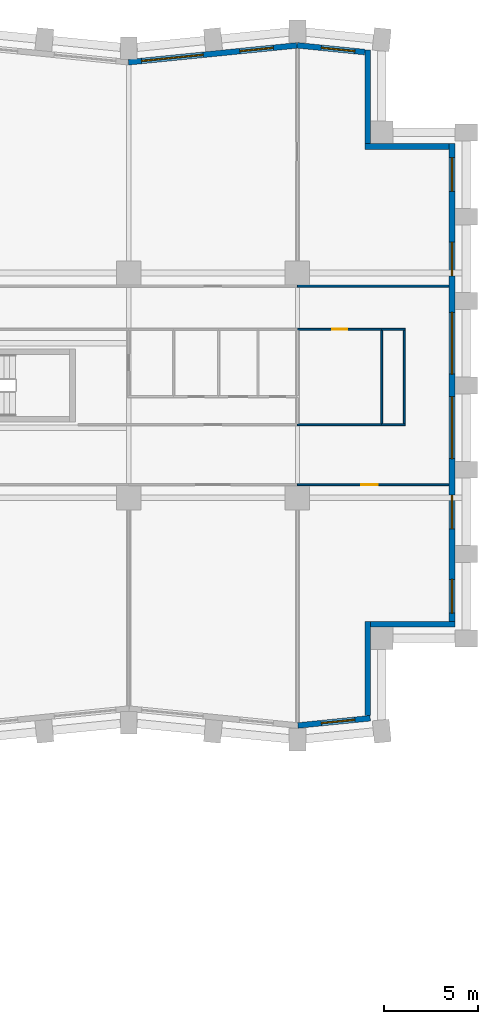
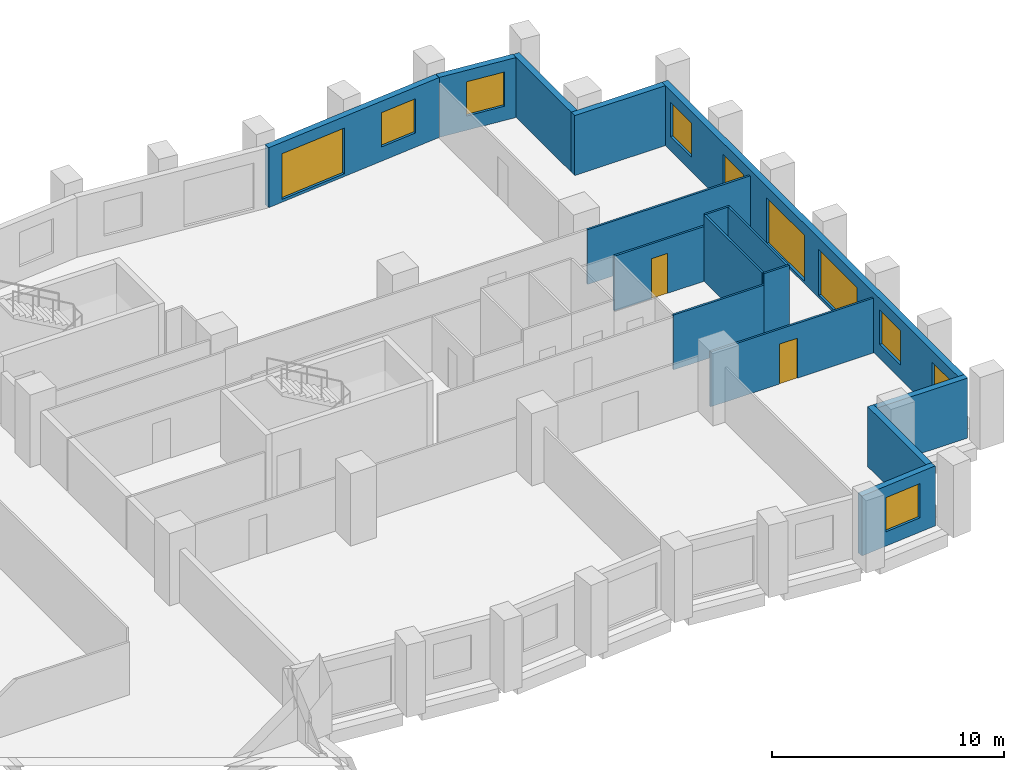
# One storey, part 8 of 11: 16 walls, 10 windows, 2 doors, 12 openings.
"""IFC4 building model written with IfcOpenShell, lengths in metres."""

from ifc_helpers import new_model, si_unit, direction, frame, frame_2d, origin, place, context, subcontext, project, spatial, rectangle, extrude, material, layer, layer_set, type_object, element, fill, save


model = new_model("IFC4")

# Units and contexts
model_context = context("Model", 3, precision=1e-05, world=origin(), true_north=direction((0.0, 1.0)))
body_context = subcontext(model_context, "Body", "Model", "MODEL_VIEW")
ifc_project = project(units=[si_unit("LENGTHUNIT", "METRE"), si_unit("AREAUNIT", "SQUARE_METRE"), si_unit("VOLUMEUNIT", "CUBIC_METRE"), si_unit("PLANEANGLEUNIT", "RADIAN"), si_unit("MASSUNIT", "GRAM", prefix="KILO")], contexts=[model_context])

# Site, building, storey
site_placement = place(None, origin())
site = spatial("IfcSite", under=ifc_project, at=site_placement, CompositionType="ELEMENT")
building_placement = place(site_placement, origin())
building = spatial("IfcBuilding", under=site, at=building_placement, Name="Brondeck Convention Tower", CompositionType="ELEMENT")
storey_placement = place(building_placement, frame((0.0, 0.0, 103.699951171875)))
storey = spatial("IfcBuildingStorey", under=building, at=storey_placement, Name="L24", CompositionType="ELEMENT", Elevation=103.699951171875)

# Wall, opening, window
ifc_material_1 = material(Name="Precast concrete C50/60 bronze finish", Category="concrete")
ifc_layer_1 = layer(ifc_material_1, 0.070068359375, Name="Bronze precast facing")
ifc_material_2 = material(Name="Mineral wool")
ifc_layer_2 = layer(ifc_material_2, 0.159912109375, Name="Insulation")
ifc_material_3 = material(Name="Concrete C35/45", Category="concrete")
ifc_layer_3 = layer(ifc_material_3, 0.070068359375, Name="Backing")
ifc_layer_set_1 = layer_set([ifc_layer_1, ifc_layer_2, ifc_layer_3], Name="External infill wall, precast concrete C50/60 bronze facing")
wall_type_1 = type_object("IfcWallType", Name="External infill wall, precast concrete C50/60 bronze facing", PredefinedType="SOLIDWALL", material=ifc_layer_set_1)
wall_1_placement = place(storey_placement, frame((66.885009765625, 27.2421875, 0.0), z_axis=(0.0, 0.0, 1.0), x_axis=(-0.995037814081, -0.099497480111, 0.0)))
wall_1 = element("IfcWall", 1, at=wall_1_placement, inside=storey, type_object=wall_type_1, Name="ENV-EW-L24-P0-A-S-06", PredefinedType="SOLIDWALL", context=body_context, shape_type="SweptSolid", body=[
    extrude(rectangle(XDim=3.87451171875, YDim=0.300048828125, at=frame_2d((1.937255859375, 0.0))), origin(), (0.0, 0.0, 1.0), 3.150146484375),
])
opening_1_placement = place(wall_1_placement, frame((0.818359375, 0.0, 0.75)))
opening_1 = element("IfcOpeningElement", 2, at=opening_1_placement, cuts=wall_1, Name="Opening W10", PredefinedType="OPENING", context=body_context, shape_type="SweptSolid", body=[
    extrude(rectangle(XDim=1.800048828125, YDim=1.800048828125, at=frame_2d((0.89990234375, 0.89990234375))), frame((0.0, 0.159912109375, 0.0), z_axis=(0.0, -1.0, 0.0), x_axis=(1.0, 0.0, 0.0)), (0.0, 0.0, 1.0), 0.320068359375),
])
ifc_material_4 = material(Name="Bronze tinted double glazing", Category="glass")
window_type_1 = type_object("IfcWindowType", Name="Punched window, bronze tinted", PartitioningType="SINGLE_PANEL", PredefinedType="WINDOW", material=ifc_material_4)
window_1_placement = place(opening_1_placement, origin())
window_1 = element("IfcWindow", 3, at=window_1_placement, inside=storey, type_object=window_type_1, Name="ENV-WN-L24-P0-A-S-06", OverallHeight=1.800048828125, OverallWidth=1.800048828125, PartitioningType="SINGLE_PANEL", PredefinedType="WINDOW", context=body_context, shape_type="SweptSolid", body=[
    extrude(rectangle(XDim=1.800048828125, YDim=1.800048828125, at=frame_2d((0.89990234375, 0.89990234375))), frame((0.0, 0.030029296875, 0.0), z_axis=(0.0, -1.0, 0.0), x_axis=(1.0, 0.0, 0.0)), (0.0, 0.0, 1.0), 0.06005859375),
])
fill(opening_1, window_1)

# Walls
wall_2_placement = place(storey_placement, frame((66.75, 32.39990234375, 0.0), z_axis=(0.0, 0.0, 1.0), x_axis=(0.0, -1.0, 0.0)))
element("IfcWall", 4, at=wall_2_placement, inside=storey, type_object=wall_type_1, Name="ENV-EW-L24-P0-NC-SEA72-01", PredefinedType="SOLIDWALL", context=body_context, shape_type="SweptSolid", body=[
    extrude(rectangle(XDim=5.019287109375, YDim=0.300048828125, at=frame_2d((2.509765625, 0.0))), origin(), (0.0, 0.0, 1.0), 3.150146484375),
])
wall_3_placement = place(storey_placement, frame((71.39990234375, 32.25, 0.0), z_axis=(0.0, 0.0, 1.0), x_axis=(-1.0, 0.0, 0.0)))
element("IfcWall", 5, at=wall_3_placement, inside=storey, type_object=wall_type_1, Name="ENV-EW-L24-P0-NC-SEA72-02", PredefinedType="SOLIDWALL", context=body_context, shape_type="SweptSolid", body=[
    extrude(rectangle(XDim=4.5, YDim=0.300048828125, at=frame_2d((2.25, 0.0))), origin(), (0.0, 0.0, 1.0), 3.150146484375),
])

# Wall, openings, windows
wall_4_placement = place(storey_placement, frame((71.25, 57.89990234375, 0.0), z_axis=(0.0, 0.0, 1.0), x_axis=(0.0, -1.0, 0.0)))
wall_4 = element("IfcWall", 6, at=wall_4_placement, inside=storey, type_object=wall_type_1, Name="ENV-EW-L24-P0-A-E72-01", PredefinedType="SOLIDWALL", context=body_context, shape_type="SweptSolid", body=[
    extrude(rectangle(XDim=25.501953125, YDim=0.300048828125, at=frame_2d((12.7509765625, 0.0))), origin(), (0.0, 0.0, 1.0), 3.150146484375),
])
opening_2_placement = place(wall_4_placement, frame((0.75, 0.0, 0.75)))
opening_2 = element("IfcOpeningElement", 7, at=opening_2_placement, cuts=wall_4, Name="Opening W10", PredefinedType="OPENING", context=body_context, shape_type="SweptSolid", body=[
    extrude(rectangle(XDim=1.800048828125, YDim=1.800048828125, at=frame_2d((0.89990234375, 0.89990234375))), frame((0.0, 0.159912109375, 0.0), z_axis=(0.0, -1.0, 0.0), x_axis=(1.0, 0.0, 0.0)), (0.0, 0.0, 1.0), 0.320068359375),
])
opening_3_placement = place(wall_4_placement, frame((5.25, 0.0, 0.75)))
opening_3 = element("IfcOpeningElement", 8, at=opening_3_placement, cuts=wall_4, Name="Opening W10", PredefinedType="OPENING", context=body_context, shape_type="SweptSolid", body=[
    extrude(rectangle(XDim=1.800048828125, YDim=1.800048828125, at=frame_2d((0.89990234375, 0.89990234375))), frame((0.0, 0.159912109375, 0.0), z_axis=(0.0, -1.0, 0.0), x_axis=(1.0, 0.0, 0.0)), (0.0, 0.0, 1.0), 0.320068359375),
])
opening_4_placement = place(wall_4_placement, frame((9.0, 0.0, 0.14990234375)))
opening_4 = element("IfcOpeningElement", 9, at=opening_4_placement, cuts=wall_4, Name="Opening W9", PredefinedType="OPENING", context=body_context, shape_type="SweptSolid", body=[
    extrude(rectangle(XDim=3.300048828125, YDim=2.39990234375, at=frame_2d((1.64990234375, 1.199951171875))), frame((0.0, 0.159912109375, 0.0), z_axis=(0.0, -1.0, 0.0), x_axis=(1.0, 0.0, 0.0)), (0.0, 0.0, 1.0), 0.320068359375),
])
opening_5_placement = place(wall_4_placement, frame((13.5, 0.0, 0.14990234375)))
opening_5 = element("IfcOpeningElement", 10, at=opening_5_placement, cuts=wall_4, Name="Opening W9", PredefinedType="OPENING", context=body_context, shape_type="SweptSolid", body=[
    extrude(rectangle(XDim=3.300048828125, YDim=2.39990234375, at=frame_2d((1.64990234375, 1.199951171875))), frame((0.0, 0.159912109375, 0.0), z_axis=(0.0, -1.0, 0.0), x_axis=(1.0, 0.0, 0.0)), (0.0, 0.0, 1.0), 0.320068359375),
])
opening_6_placement = place(wall_4_placement, frame((18.75, 0.0, 0.75)))
opening_6 = element("IfcOpeningElement", 11, at=opening_6_placement, cuts=wall_4, Name="Opening W10", PredefinedType="OPENING", context=body_context, shape_type="SweptSolid", body=[
    extrude(rectangle(XDim=1.800048828125, YDim=1.800048828125, at=frame_2d((0.89990234375, 0.89990234375))), frame((0.0, 0.159912109375, 0.0), z_axis=(0.0, -1.0, 0.0), x_axis=(1.0, 0.0, 0.0)), (0.0, 0.0, 1.0), 0.320068359375),
])
opening_7_placement = place(wall_4_placement, frame((23.25, 0.0, 0.75)))
opening_7 = element("IfcOpeningElement", 12, at=opening_7_placement, cuts=wall_4, Name="Opening W10", PredefinedType="OPENING", context=body_context, shape_type="SweptSolid", body=[
    extrude(rectangle(XDim=1.800048828125, YDim=1.800048828125, at=frame_2d((0.89990234375, 0.89990234375))), frame((0.0, 0.159912109375, 0.0), z_axis=(0.0, -1.0, 0.0), x_axis=(1.0, 0.0, 0.0)), (0.0, 0.0, 1.0), 0.320068359375),
])
window_type_2 = type_object("IfcWindowType", Name="Glazed flute window, bronze tinted", PartitioningType="SINGLE_PANEL", PredefinedType="WINDOW", material=ifc_material_4)
window_2_placement = place(opening_4_placement, origin())
window_2 = element("IfcWindow", 13, at=window_2_placement, inside=storey, type_object=window_type_2, Name="ENV-WN-L24-P0-A-E72-04", OverallHeight=2.39990234375, OverallWidth=3.300048828125, PartitioningType="SINGLE_PANEL", PredefinedType="WINDOW", context=body_context, shape_type="SweptSolid", body=[
    extrude(rectangle(XDim=3.300048828125, YDim=2.39990234375, at=frame_2d((1.64990234375, 1.199951171875))), frame((0.0, 0.030029296875, 0.0), z_axis=(0.0, -1.0, 0.0), x_axis=(1.0, 0.0, 0.0)), (0.0, 0.0, 1.0), 0.06005859375),
])
fill(opening_4, window_2)
window_3_placement = place(opening_5_placement, origin())
window_3 = element("IfcWindow", 14, at=window_3_placement, inside=storey, type_object=window_type_2, Name="ENV-WN-L24-P0-A-E72-03", OverallHeight=2.39990234375, OverallWidth=3.300048828125, PartitioningType="SINGLE_PANEL", PredefinedType="WINDOW", context=body_context, shape_type="SweptSolid", body=[
    extrude(rectangle(XDim=3.300048828125, YDim=2.39990234375, at=frame_2d((1.64990234375, 1.199951171875))), frame((0.0, 0.030029296875, 0.0), z_axis=(0.0, -1.0, 0.0), x_axis=(1.0, 0.0, 0.0)), (0.0, 0.0, 1.0), 0.06005859375),
])
fill(opening_5, window_3)
window_4_placement = place(opening_2_placement, origin())
window_4 = element("IfcWindow", 15, at=window_4_placement, inside=storey, type_object=window_type_1, Name="ENV-WN-L24-P0-A-E72-06", OverallHeight=1.800048828125, OverallWidth=1.800048828125, PartitioningType="SINGLE_PANEL", PredefinedType="WINDOW", context=body_context, shape_type="SweptSolid", body=[
    extrude(rectangle(XDim=1.800048828125, YDim=1.800048828125, at=frame_2d((0.89990234375, 0.89990234375))), frame((0.0, 0.030029296875, 0.0), z_axis=(0.0, -1.0, 0.0), x_axis=(1.0, 0.0, 0.0)), (0.0, 0.0, 1.0), 0.06005859375),
])
fill(opening_2, window_4)
window_5_placement = place(opening_3_placement, origin())
window_5 = element("IfcWindow", 16, at=window_5_placement, inside=storey, type_object=window_type_1, Name="ENV-WN-L24-P0-A-E72-05", OverallHeight=1.800048828125, OverallWidth=1.800048828125, PartitioningType="SINGLE_PANEL", PredefinedType="WINDOW", context=body_context, shape_type="SweptSolid", body=[
    extrude(rectangle(XDim=1.800048828125, YDim=1.800048828125, at=frame_2d((0.89990234375, 0.89990234375))), frame((0.0, 0.030029296875, 0.0), z_axis=(0.0, -1.0, 0.0), x_axis=(1.0, 0.0, 0.0)), (0.0, 0.0, 1.0), 0.06005859375),
])
fill(opening_3, window_5)
window_6_placement = place(opening_6_placement, origin())
window_6 = element("IfcWindow", 17, at=window_6_placement, inside=storey, type_object=window_type_1, Name="ENV-WN-L24-P0-A-E72-02", OverallHeight=1.800048828125, OverallWidth=1.800048828125, PartitioningType="SINGLE_PANEL", PredefinedType="WINDOW", context=body_context, shape_type="SweptSolid", body=[
    extrude(rectangle(XDim=1.800048828125, YDim=1.800048828125, at=frame_2d((0.89990234375, 0.89990234375))), frame((0.0, 0.030029296875, 0.0), z_axis=(0.0, -1.0, 0.0), x_axis=(1.0, 0.0, 0.0)), (0.0, 0.0, 1.0), 0.06005859375),
])
fill(opening_6, window_6)
window_7_placement = place(opening_7_placement, origin())
window_7 = element("IfcWindow", 18, at=window_7_placement, inside=storey, type_object=window_type_1, Name="ENV-WN-L24-P0-A-E72-01", OverallHeight=1.800048828125, OverallWidth=1.800048828125, PartitioningType="SINGLE_PANEL", PredefinedType="WINDOW", context=body_context, shape_type="SweptSolid", body=[
    extrude(rectangle(XDim=1.800048828125, YDim=1.800048828125, at=frame_2d((0.89990234375, 0.89990234375))), frame((0.0, 0.030029296875, 0.0), z_axis=(0.0, -1.0, 0.0), x_axis=(1.0, 0.0, 0.0)), (0.0, 0.0, 1.0), 0.06005859375),
])
fill(opening_7, window_7)

# Walls
wall_5_placement = place(storey_placement, frame((66.60009765625, 57.75, 0.0), z_axis=(0.0, 0.0, 1.0), x_axis=(1.0, 0.0, 0.0)))
element("IfcWall", 19, at=wall_5_placement, inside=storey, type_object=wall_type_1, Name="ENV-EW-L24-P0-NC-NEA72-01", PredefinedType="SOLIDWALL", context=body_context, shape_type="SweptSolid", body=[
    extrude(rectangle(XDim=4.5, YDim=0.300048828125, at=frame_2d((2.25, 0.0))), origin(), (0.0, 0.0, 1.0), 3.150146484375),
])
wall_6_placement = place(storey_placement, frame((66.75, 62.906982421875, 0.0), z_axis=(0.0, 0.0, 1.0), x_axis=(0.0, -1.0, 0.0)))
element("IfcWall", 20, at=wall_6_placement, inside=storey, type_object=wall_type_1, Name="ENV-EW-L24-P0-NC-NEA72-02", PredefinedType="SOLIDWALL", context=body_context, shape_type="SweptSolid", body=[
    extrude(rectangle(XDim=5.009033203125, YDim=0.300048828125, at=frame_2d((2.50439453125, 0.0))), origin(), (0.0, 0.0, 1.0), 3.150146484375),
])

# Wall, opening, window
wall_7_placement = place(storey_placement, frame((62.985107421875, 63.147705078125, 0.0), z_axis=(0.0, 0.0, 1.0), x_axis=(0.995038521274, -0.099490407478, 0.0)))
wall_7 = element("IfcWall", 21, at=wall_7_placement, inside=storey, type_object=wall_type_1, Name="ENV-EW-L24-P0-A-N-14", PredefinedType="SOLIDWALL", context=body_context, shape_type="SweptSolid", body=[
    extrude(rectangle(XDim=3.6318359375, YDim=0.300048828125, at=frame_2d((1.81591796875, 0.0))), origin(), (0.0, 0.0, 1.0), 3.150146484375),
])
opening_8_placement = place(wall_7_placement, frame((1.30126953125, 0.0, 0.75)))
opening_8 = element("IfcOpeningElement", 22, at=opening_8_placement, cuts=wall_7, Name="Opening W10", PredefinedType="OPENING", context=body_context, shape_type="SweptSolid", body=[
    extrude(rectangle(XDim=1.800048828125, YDim=1.800048828125, at=frame_2d((0.89990234375, 0.89990234375))), frame((0.0, 0.159912109375, 0.0), z_axis=(0.0, -1.0, 0.0), x_axis=(1.0, 0.0, 0.0)), (0.0, 0.0, 1.0), 0.320068359375),
])
window_8_placement = place(opening_8_placement, origin())
window_8 = element("IfcWindow", 23, at=window_8_placement, inside=storey, type_object=window_type_1, Name="ENV-WN-L24-P0-A-N-14", OverallHeight=1.800048828125, OverallWidth=1.800048828125, PartitioningType="SINGLE_PANEL", PredefinedType="WINDOW", context=body_context, shape_type="SweptSolid", body=[
    extrude(rectangle(XDim=1.800048828125, YDim=1.800048828125, at=frame_2d((0.89990234375, 0.89990234375))), frame((0.0, 0.030029296875, 0.0), z_axis=(0.0, -1.0, 0.0), x_axis=(1.0, 0.0, 0.0)), (0.0, 0.0, 1.0), 0.06005859375),
])
fill(opening_8, window_8)

# Wall, openings, windows
wall_8_placement = place(storey_placement, frame((53.985107421875, 62.244873046875, 0.0), z_axis=(0.0, 0.0, 1.0), x_axis=(0.995037993253, 0.099495688264, 0.0)))
wall_8 = element("IfcWall", 24, at=wall_8_placement, inside=storey, type_object=wall_type_1, Name="ENV-EW-L24-P0-A-N-13", PredefinedType="SOLIDWALL", context=body_context, shape_type="SweptSolid", body=[
    extrude(rectangle(XDim=9.030029296875, YDim=0.300048828125, at=frame_2d((4.51513671875, 0.0))), origin(), (0.0, 0.0, 1.0), 3.150146484375),
])
opening_9_placement = place(wall_8_placement, frame((0.701171875, 0.0, 0.14990234375)))
opening_9 = element("IfcOpeningElement", 25, at=opening_9_placement, cuts=wall_8, Name="Opening W9", PredefinedType="OPENING", context=body_context, shape_type="SweptSolid", body=[
    extrude(rectangle(XDim=3.300048828125, YDim=2.39990234375, at=frame_2d((1.64990234375, 1.199951171875))), frame((0.0, 0.159912109375, 0.0), z_axis=(0.0, -1.0, 0.0), x_axis=(1.0, 0.0, 0.0)), (0.0, 0.0, 1.0), 0.320068359375),
])
opening_10_placement = place(wall_8_placement, frame((5.9736328125, 0.0, 0.75)))
opening_10 = element("IfcOpeningElement", 26, at=opening_10_placement, cuts=wall_8, Name="Opening W10", PredefinedType="OPENING", context=body_context, shape_type="SweptSolid", body=[
    extrude(rectangle(XDim=1.800048828125, YDim=1.800048828125, at=frame_2d((0.89990234375, 0.89990234375))), frame((0.0, 0.159912109375, 0.0), z_axis=(0.0, -1.0, 0.0), x_axis=(1.0, 0.0, 0.0)), (0.0, 0.0, 1.0), 0.320068359375),
])
window_9_placement = place(opening_9_placement, origin())
window_9 = element("IfcWindow", 27, at=window_9_placement, inside=storey, type_object=window_type_2, Name="ENV-WN-L24-P0-A-N-12", OverallHeight=2.39990234375, OverallWidth=3.300048828125, PartitioningType="SINGLE_PANEL", PredefinedType="WINDOW", context=body_context, shape_type="SweptSolid", body=[
    extrude(rectangle(XDim=3.300048828125, YDim=2.39990234375, at=frame_2d((1.64990234375, 1.199951171875))), frame((0.0, 0.030029296875, 0.0), z_axis=(0.0, -1.0, 0.0), x_axis=(1.0, 0.0, 0.0)), (0.0, 0.0, 1.0), 0.06005859375),
])
fill(opening_9, window_9)
window_10_placement = place(opening_10_placement, origin())
window_10 = element("IfcWindow", 28, at=window_10_placement, inside=storey, type_object=window_type_1, Name="ENV-WN-L24-P0-A-N-13", OverallHeight=1.800048828125, OverallWidth=1.800048828125, PartitioningType="SINGLE_PANEL", PredefinedType="WINDOW", context=body_context, shape_type="SweptSolid", body=[
    extrude(rectangle(XDim=1.800048828125, YDim=1.800048828125, at=frame_2d((0.89990234375, 0.89990234375))), frame((0.0, 0.030029296875, 0.0), z_axis=(0.0, -1.0, 0.0), x_axis=(1.0, 0.0, 0.0)), (0.0, 0.0, 1.0), 0.06005859375),
])
fill(opening_10, window_10)

# Wall, opening, door
ifc_material_5 = material(Name="Gypsum board partition on steel studs", Category="steel")
ifc_layer_4 = layer(ifc_material_5, 0.10009765625)
ifc_layer_set_2 = layer_set([ifc_layer_4], Name="Room partition 100")
wall_type_2 = type_object("IfcWallType", Name="Room partition 100", PredefinedType="PARTITIONING", material=ifc_layer_set_2)
wall_9_placement = place(storey_placement, frame((71.080078125, 39.699951171875, 0.0), z_axis=(0.0, 0.0, 1.0), x_axis=(-1.0, 0.0, 0.0)))
wall_9 = element("IfcWall", 29, at=wall_9_placement, inside=storey, type_object=wall_type_2, Name="FLR-L24-W036", PredefinedType="PARTITIONING", context=body_context, shape_type="SweptSolid", body=[
    extrude(rectangle(XDim=8.080078125, YDim=0.10009765625, at=frame_2d((4.0400390625, 0.0))), origin(), (0.0, 0.0, 1.0), 2.880126953125),
])
opening_11_placement = place(wall_9_placement, frame((3.781005859375, 0.0, 0.0)))
opening_11 = element("IfcOpeningElement", 30, at=opening_11_placement, cuts=wall_9, Name="Opening OF-B-011", PredefinedType="OPENING", context=body_context, shape_type="SweptSolid", body=[
    extrude(rectangle(XDim=0.89990234375, YDim=2.10009765625, at=frame_2d((0.449951171875, 1.050048828125))), frame((0.0, 0.06005859375, 0.0), z_axis=(0.0, -1.0, 0.0), x_axis=(1.0, 0.0, 0.0)), (0.0, 0.0, 1.0), 0.1201171875),
])
ifc_material_6 = material(Name="Solid timber door leaf", Category="wood")
door_type_1 = type_object("IfcDoorType", Name="Single door 900", OperationType="NOTDEFINED", PredefinedType="DOOR", material=ifc_material_6)
door_1_placement = place(opening_11_placement, origin())
door_1 = element("IfcDoor", 31, at=door_1_placement, inside=storey, type_object=door_type_1, Name="Door OF-B-011", OperationType="SINGLE_SWING_RIGHT", OverallHeight=2.10009765625, OverallWidth=0.89990234375, PredefinedType="DOOR", context=body_context, shape_type="SweptSolid", body=[
    extrude(rectangle(XDim=0.89990234375, YDim=2.10009765625, at=frame_2d((0.449951171875, 1.050048828125))), frame((0.0, 0.02490234375, 0.0), z_axis=(0.0, -1.0, 0.0), x_axis=(1.0, 0.0, 0.0)), (0.0, 0.0, 1.0), 0.050048828125),
])
fill(opening_11, door_1)

# Walls
wall_10_placement = place(storey_placement, frame((63.0, 42.89990234375, 0.0), z_axis=(0.0, 0.0, 1.0), x_axis=(1.0, 0.0, 0.0)))
element("IfcWall", 32, at=wall_10_placement, inside=storey, type_object=wall_type_2, Name="FLR-L24-W040", PredefinedType="PARTITIONING", context=body_context, shape_type="SweptSolid", body=[
    extrude(rectangle(XDim=4.5, YDim=0.10009765625, at=frame_2d((2.25, 0.0))), origin(), (0.0, 0.0, 1.0), 2.880126953125),
])
wall_11_placement = place(storey_placement, frame((67.5, 42.89990234375, 0.0), z_axis=(0.0, 0.0, 1.0), x_axis=(1.0, 0.0, 0.0)))
element("IfcWall", 33, at=wall_11_placement, inside=storey, type_object=wall_type_2, Name="FLR-L24-W041", PredefinedType="PARTITIONING", context=body_context, shape_type="SweptSolid", body=[
    extrude(rectangle(XDim=1.25, YDim=0.10009765625, at=frame_2d((0.625, 0.0))), origin(), (0.0, 0.0, 1.0), 3.47998046875),
])
for number, where, z_axis, x_axis, name in (
    (34, (68.699951171875, 42.949951171875, 0.0), (0.0, 0.0, 1.0), (0.0, 1.0, 0.0), "FLR-L24-W043"),
    (35, (67.5, 47.949951171875, 0.0), (0.0, 0.0, 1.0), (0.0, -1.0, 0.0), "FLR-L24-W055"),
):
    element("IfcWall", number, at=place(storey_placement, frame(where, z_axis=z_axis, x_axis=x_axis)), inside=storey, type_object=wall_type_2, Name=name, PredefinedType="PARTITIONING", context=body_context, shape_type="SweptSolid", body=[
        extrude(rectangle(XDim=5.0, YDim=0.10009765625, at=frame_2d((2.5, 0.0))), origin(), (0.0, 0.0, 1.0), 3.47998046875),
    ])

# Wall, opening, door
wall_12_placement = place(storey_placement, frame((67.5, 48.0, 0.0), z_axis=(0.0, 0.0, 1.0), x_axis=(-1.0, 0.0, 0.0)))
wall_12 = element("IfcWall", 36, at=wall_12_placement, inside=storey, type_object=wall_type_2, Name="FLR-L24-W062", PredefinedType="PARTITIONING", context=body_context, shape_type="SweptSolid", body=[
    extrude(rectangle(XDim=4.5, YDim=0.10009765625, at=frame_2d((2.25, 0.0))), origin(), (0.0, 0.0, 1.0), 2.880126953125),
])
opening_12_placement = place(wall_12_placement, frame((1.85009765625, 0.0, 0.0)))
opening_12 = element("IfcOpeningElement", 37, at=opening_12_placement, cuts=wall_12, Name="Opening OF-B-008", PredefinedType="OPENING", context=body_context, shape_type="SweptSolid", body=[
    extrude(rectangle(XDim=0.800048828125, YDim=2.10009765625, at=frame_2d((0.39990234375, 1.050048828125))), frame((0.0, 0.06005859375, 0.0), z_axis=(0.0, -1.0, 0.0), x_axis=(1.0, 0.0, 0.0)), (0.0, 0.0, 1.0), 0.1201171875),
])
ifc_material_7 = material(Name="Steel service door leaf", Category="steel")
door_type_2 = type_object("IfcDoorType", Name="Service door 800", OperationType="NOTDEFINED", PredefinedType="DOOR", material=ifc_material_7)
door_2_placement = place(opening_12_placement, origin())
door_2 = element("IfcDoor", 38, at=door_2_placement, inside=storey, type_object=door_type_2, Name="Door OF-B-008", OperationType="SINGLE_SWING_LEFT", OverallHeight=2.10009765625, OverallWidth=0.800048828125, PredefinedType="DOOR", context=body_context, shape_type="SweptSolid", body=[
    extrude(rectangle(XDim=0.800048828125, YDim=2.10009765625, at=frame_2d((0.39990234375, 1.050048828125))), frame((0.0, 0.02490234375, 0.0), z_axis=(0.0, -1.0, 0.0), x_axis=(1.0, 0.0, 0.0)), (0.0, 0.0, 1.0), 0.050048828125),
])
fill(opening_12, door_2)

# Walls
wall_13_placement = place(storey_placement, frame((68.75, 48.0, 0.0), z_axis=(0.0, 0.0, 1.0), x_axis=(-1.0, 0.0, 0.0)))
element("IfcWall", 39, at=wall_13_placement, inside=storey, type_object=wall_type_2, Name="FLR-L24-W063", PredefinedType="PARTITIONING", context=body_context, shape_type="SweptSolid", body=[
    extrude(rectangle(XDim=1.25, YDim=0.10009765625, at=frame_2d((0.625, 0.0))), origin(), (0.0, 0.0, 1.0), 3.47998046875),
])
wall_14_placement = place(storey_placement, frame((63.0, 50.300048828125, 0.0), z_axis=(0.0, 0.0, 1.0), x_axis=(1.0, 0.0, 0.0)))
element("IfcWall", 40, at=wall_14_placement, inside=storey, type_object=wall_type_2, Name="FLR-L24-W067", PredefinedType="PARTITIONING", context=body_context, shape_type="SweptSolid", body=[
    extrude(rectangle(XDim=8.080078125, YDim=0.10009765625, at=frame_2d((4.0400390625, 0.0))), origin(), (0.0, 0.0, 1.0), 2.880126953125),
])

save(model, "model.ifc")
